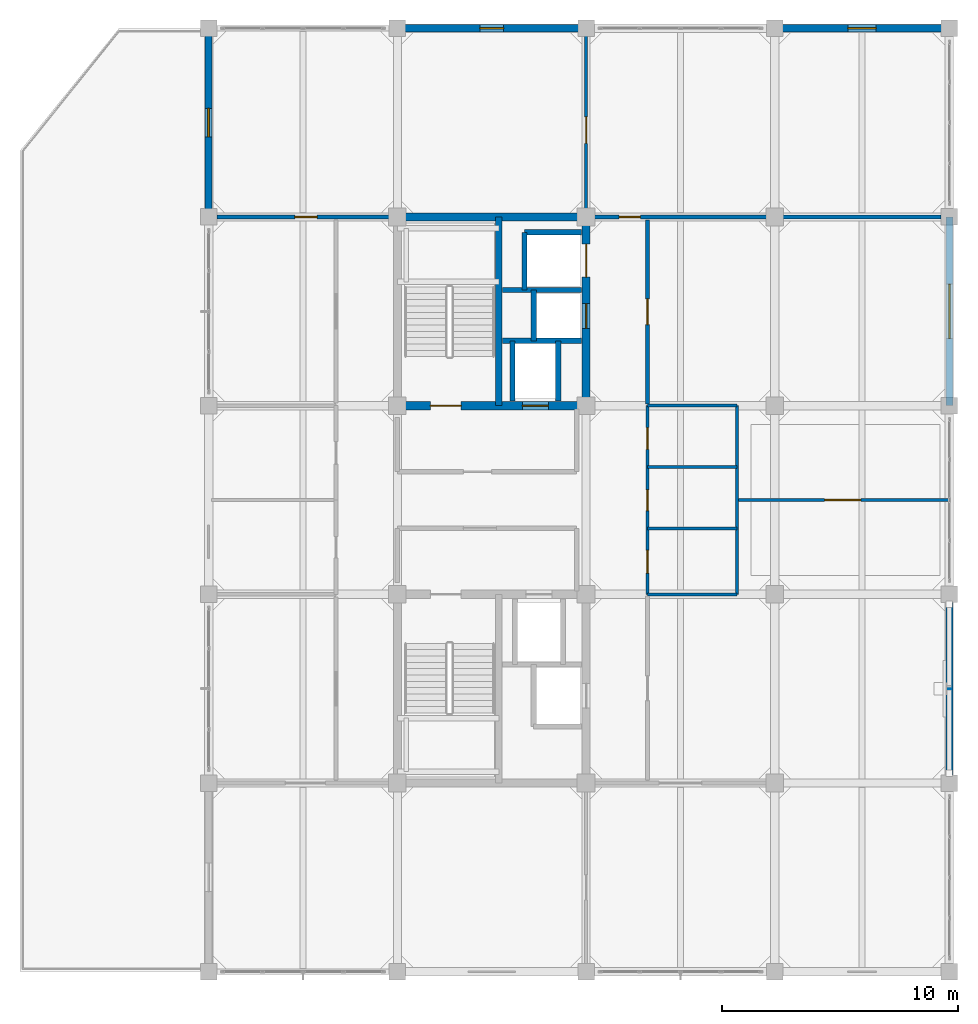
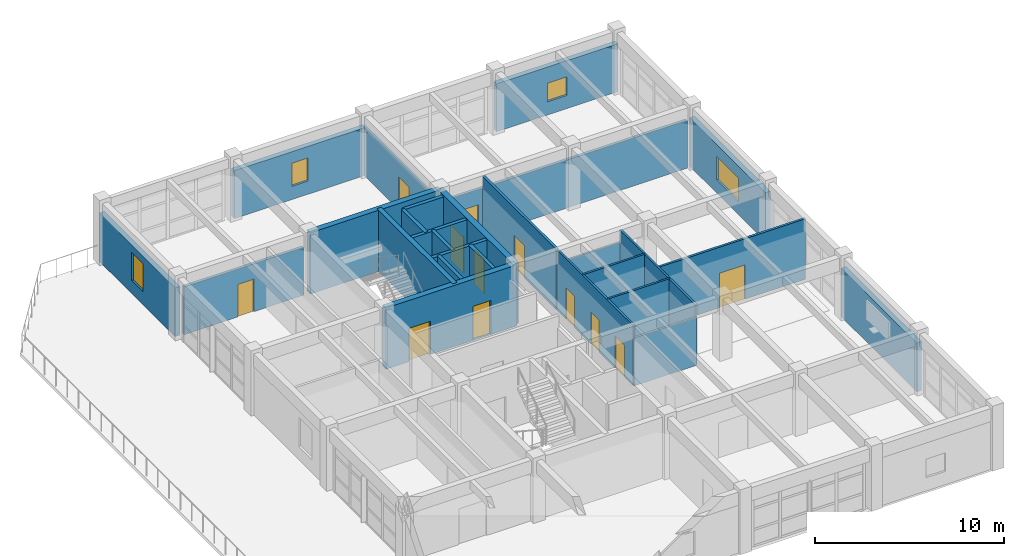
# One storey, part 20 of 25: 27 walls, 12 doors, 4 windows, 16 openings.
"""IFC4 building model written with IfcOpenShell, lengths in metres."""

from ifc_helpers import new_model, si_unit, direction, frame, frame_2d, origin, place, context, subcontext, project, spatial, rectangle, extrude, material, layer, layer_set, type_object, element, fill, save


model = new_model("IFC4")

# Units and contexts
model_context = context("Model", 3, precision=1e-05, world=origin(), true_north=direction((0.0, 1.0)))
body_context = subcontext(model_context, "Body", "Model", "MODEL_VIEW")
ifc_project = project(units=[si_unit("LENGTHUNIT", "METRE"), si_unit("AREAUNIT", "SQUARE_METRE"), si_unit("VOLUMEUNIT", "CUBIC_METRE"), si_unit("PLANEANGLEUNIT", "RADIAN"), si_unit("MASSUNIT", "GRAM", prefix="KILO")], contexts=[model_context])

# Site, building, storey
site_placement = place(None, origin())
site = spatial("IfcSite", under=ifc_project, at=site_placement, CompositionType="ELEMENT")
building_placement = place(site_placement, origin())
building = spatial("IfcBuilding", under=site, at=building_placement, Name="Canggui Botanical Conservatory", CompositionType="ELEMENT")
storey_placement = place(building_placement, frame((0.0, 0.0, 40.199951171875)))
storey = spatial("IfcBuildingStorey", under=building, at=storey_placement, Name="L10", CompositionType="ELEMENT", Elevation=40.199951171875)

# Wall, opening, window
ifc_material_1 = material(Name="Precast Concrete C40", Category="concrete")
ifc_layer_1 = layer(ifc_material_1, 0.300048828125, Name="Precast Concrete C40", Category="concrete")
ifc_layer_set_1 = layer_set([ifc_layer_1], Name="Precast Concrete C40")
wall_type_1 = type_object("IfcWallType", Name="EW-300", PredefinedType="STANDARD", material=ifc_layer_set_1)
wall_1_placement = place(storey_placement, frame((146.0, 66.0, 0.0), z_axis=(0.0, 0.0, 1.0), x_axis=(0.0, 1.0, 0.0)))
wall_1 = element("IfcWall", 1, at=wall_1_placement, inside=storey, type_object=wall_type_1, Name="Tower Insulated Exterior Wall L10-W9", PredefinedType="STANDARD", context=body_context, shape_type="SweptSolid", body=[
    extrude(rectangle(XDim=8.0, YDim=0.300048828125, at=frame_2d((4.0, 0.0))), origin(), (0.0, 0.0, 1.0), 3.14013671875),
])
opening_1_placement = place(wall_1_placement, frame((3.39990234375, 0.0, 0.85009765625)))
opening_1 = element("IfcOpeningElement", 2, at=opening_1_placement, cuts=wall_1, Name="Opening W-15", PredefinedType="OPENING", context=body_context, shape_type="SweptSolid", body=[
    extrude(rectangle(XDim=1.199951171875, YDim=1.800048828125, at=frame_2d((0.60009765625, 0.89990234375))), frame((0.0, 0.16015625, 0.0), z_axis=(0.0, -1.0, 0.0), x_axis=(1.0, 0.0, 0.0)), (0.0, 0.0, 1.0), 0.320068359375),
])
ifc_material_2 = material(Name="Low-E Insulated Glass", Category="glass")
window_type_1 = type_object("IfcWindowType", Name="WIN-15", PartitioningType="SINGLE_PANEL", PredefinedType="WINDOW", material=ifc_material_2)
window_1_placement = place(opening_1_placement, origin())
window_1 = element("IfcWindow", 3, at=window_1_placement, inside=storey, type_object=window_type_1, Name="Tower Window L10-9", OverallHeight=1.800048828125, OverallWidth=1.199951171875, PartitioningType="SINGLE_PANEL", PredefinedType="WINDOW", context=body_context, shape_type="SweptSolid", body=[
    extrude(rectangle(XDim=1.199951171875, YDim=1.800048828125, at=frame_2d((0.60009765625, 0.89990234375))), frame((0.0, 0.030029296875, 0.0), z_axis=(0.0, -1.0, 0.0), x_axis=(1.0, 0.0, 0.0)), (0.0, 0.0, 1.0), 0.06005859375),
])
fill(opening_1, window_1)

wall_2_placement = place(storey_placement, frame((154.0, 74.0, 0.0), z_axis=(0.0, 0.0, 1.0), x_axis=(1.0, 0.0, 0.0)))
wall_2 = element("IfcWall", 4, at=wall_2_placement, inside=storey, type_object=wall_type_1, Name="Tower Insulated Exterior Wall L10-N11", PredefinedType="STANDARD", context=body_context, shape_type="SweptSolid", body=[
    extrude(rectangle(XDim=8.0, YDim=0.300048828125, at=frame_2d((4.0, 0.0))), origin(), (0.0, 0.0, 1.0), 3.090087890625),
])
opening_2_placement = place(wall_2_placement, frame((3.5, 0.0, 0.85009765625)))
opening_2 = element("IfcOpeningElement", 5, at=opening_2_placement, cuts=wall_2, Name="Opening W-16", PredefinedType="OPENING", context=body_context, shape_type="SweptSolid", body=[
    extrude(rectangle(XDim=1.0, YDim=1.5, at=frame_2d((0.5, 0.75))), frame((0.0, 0.16015625, 0.0), z_axis=(0.0, -1.0, 0.0), x_axis=(1.0, 0.0, 0.0)), (0.0, 0.0, 1.0), 0.320068359375),
])
window_type_2 = type_object("IfcWindowType", Name="WIN-16", PartitioningType="SINGLE_PANEL", PredefinedType="WINDOW", material=ifc_material_2)
window_2_placement = place(opening_2_placement, origin())
window_2 = element("IfcWindow", 6, at=window_2_placement, inside=storey, type_object=window_type_2, Name="Tower Window L10-11", OverallHeight=1.5, OverallWidth=1.0, PartitioningType="SINGLE_PANEL", PredefinedType="WINDOW", context=body_context, shape_type="SweptSolid", body=[
    extrude(rectangle(XDim=1.0, YDim=1.5, at=frame_2d((0.5, 0.75))), frame((0.0, 0.030029296875, 0.0), z_axis=(0.0, -1.0, 0.0), x_axis=(1.0, 0.0, 0.0)), (0.0, 0.0, 1.0), 0.06005859375),
])
fill(opening_2, window_2)

wall_3_placement = place(storey_placement, frame((170.0, 74.0, 0.0), z_axis=(0.0, 0.0, 1.0), x_axis=(1.0, 0.0, 0.0)))
wall_3 = element("IfcWall", 7, at=wall_3_placement, inside=storey, type_object=wall_type_1, Name="Tower Insulated Exterior Wall L10-N13", PredefinedType="STANDARD", context=body_context, shape_type="SweptSolid", body=[
    extrude(rectangle(XDim=7.39990234375, YDim=0.300048828125, at=frame_2d((3.699951171875, 0.0))), origin(), (0.0, 0.0, 1.0), 3.090087890625),
])
opening_3_placement = place(wall_3_placement, frame((3.10009765625, 0.0, 0.85009765625)))
opening_3 = element("IfcOpeningElement", 8, at=opening_3_placement, cuts=wall_3, Name="Opening W-06", PredefinedType="OPENING", context=body_context, shape_type="SweptSolid", body=[
    extrude(rectangle(XDim=1.199951171875, YDim=1.199951171875, at=frame_2d((0.60009765625, 0.60009765625))), frame((0.0, 0.16015625, 0.0), z_axis=(0.0, -1.0, 0.0), x_axis=(1.0, 0.0, 0.0)), (0.0, 0.0, 1.0), 0.320068359375),
])
window_type_3 = type_object("IfcWindowType", Name="WIN-06", PartitioningType="SINGLE_PANEL", PredefinedType="WINDOW", material=ifc_material_2)
window_3_placement = place(opening_3_placement, origin())
window_3 = element("IfcWindow", 9, at=window_3_placement, inside=storey, type_object=window_type_3, Name="Tower Firefighter Rescue Window L10-13", OverallHeight=1.199951171875, OverallWidth=1.199951171875, PartitioningType="SINGLE_PANEL", PredefinedType="WINDOW", context=body_context, shape_type="SweptSolid", body=[
    extrude(rectangle(XDim=1.199951171875, YDim=1.199951171875, at=frame_2d((0.60009765625, 0.60009765625))), frame((0.0, 0.030029296875, 0.0), z_axis=(0.0, -1.0, 0.0), x_axis=(1.0, 0.0, 0.0)), (0.0, 0.0, 1.0), 0.06005859375),
])
fill(opening_3, window_3)

wall_4_placement = place(storey_placement, frame((177.39990234375, 66.0, 0.0), z_axis=(0.0, 0.0, 1.0), x_axis=(0.0, -1.0, 0.0)))
wall_4 = element("IfcWall", 10, at=wall_4_placement, inside=storey, type_object=wall_type_1, Name="Tower Insulated Exterior Wall L10-E15", PredefinedType="STANDARD", context=body_context, shape_type="SweptSolid", body=[
    extrude(rectangle(XDim=8.0, YDim=0.300048828125, at=frame_2d((4.0, 0.0))), origin(), (0.0, 0.0, 1.0), 3.14013671875),
])
opening_4_placement = place(wall_4_placement, frame((2.85009765625, 0.0, 0.85009765625)))
opening_4 = element("IfcOpeningElement", 11, at=opening_4_placement, cuts=wall_4, Name="Opening W-19", PredefinedType="OPENING", context=body_context, shape_type="SweptSolid", body=[
    extrude(rectangle(XDim=2.300048828125, YDim=1.5, at=frame_2d((1.14990234375, 0.75))), frame((0.0, 0.16015625, 0.0), z_axis=(0.0, -1.0, 0.0), x_axis=(1.0, 0.0, 0.0)), (0.0, 0.0, 1.0), 0.320068359375),
])
window_type_4 = type_object("IfcWindowType", Name="WIN-19", PartitioningType="DOUBLE_PANEL_VERTICAL", PredefinedType="WINDOW", material=ifc_material_2)
window_4_placement = place(opening_4_placement, origin())
window_4 = element("IfcWindow", 12, at=window_4_placement, inside=storey, type_object=window_type_4, Name="Tower Window L10-15", OverallHeight=1.5, OverallWidth=2.300048828125, PartitioningType="SINGLE_PANEL", PredefinedType="WINDOW", context=body_context, shape_type="SweptSolid", body=[
    extrude(rectangle(XDim=2.300048828125, YDim=1.5, at=frame_2d((1.14990234375, 0.75))), frame((0.0, 0.030029296875, 0.0), z_axis=(0.0, -1.0, 0.0), x_axis=(1.0, 0.0, 0.0)), (0.0, 0.0, 1.0), 0.06005859375),
])
fill(opening_4, window_4)

# Wall
wall_5_placement = place(storey_placement, frame((177.39990234375, 50.0, 0.0), z_axis=(0.0, 0.0, 1.0), x_axis=(0.0, -1.0, 0.0)))
element("IfcWall", 13, at=wall_5_placement, inside=storey, type_object=wall_type_1, Name="Tower Insulated Exterior Wall L10-E17", PredefinedType="STANDARD", context=body_context, shape_type="SweptSolid", body=[
    extrude(rectangle(XDim=8.0, YDim=0.300048828125, at=frame_2d((4.0, 0.0))), origin(), (0.0, 0.0, 1.0), 3.14013671875),
])

# Wall, opening, door
ifc_material_3 = material(Name="Gypsum Plasterboard Partition")
ifc_layer_2 = layer(ifc_material_3, 0.175048828125, Name="Gypsum Plasterboard Partition")
ifc_layer_set_2 = layer_set([ifc_layer_2], Name="Gypsum Plasterboard Partition")
wall_type_2 = type_object("IfcWallType", Name="IW-CORR-175", PredefinedType="STANDARD", material=ifc_layer_set_2)
wall_6_placement = place(storey_placement, frame((146.35009765625, 66.0, 0.0), z_axis=(0.0, 0.0, 1.0), x_axis=(1.0, 0.0, 0.0)))
wall_6 = element("IfcWall", 14, at=wall_6_placement, inside=storey, type_object=wall_type_2, Name="L10 Cryogenic Germplasm Storage Room North Suite Wall", PredefinedType="STANDARD", context=body_context, shape_type="SweptSolid", body=[
    extrude(rectangle(XDim=7.2998046875, YDim=0.175048828125, at=frame_2d((3.64990234375, 0.0))), origin(), (0.0, 0.0, 1.0), 3.090087890625),
])
opening_5_placement = place(wall_6_placement, frame((3.300048828125, 0.0, 0.0)))
opening_5 = element("IfcOpeningElement", 15, at=opening_5_placement, cuts=wall_6, Name="Opening FD-02", PredefinedType="OPENING", context=body_context, shape_type="SweptSolid", body=[
    extrude(rectangle(XDim=0.949951171875, YDim=2.10009765625, at=frame_2d((0.47509765625, 1.050048828125))), frame((0.0, 0.09765625, 0.0), z_axis=(0.0, -1.0, 0.0), x_axis=(1.0, 0.0, 0.0)), (0.0, 0.0, 1.0), 0.195068359375),
])
ifc_material_4 = material(Name="Powder-Coated Steel", Category="steel")
door_type_1 = type_object("IfcDoorType", Name="FD-02", OperationType="NOTDEFINED", PredefinedType="DOOR", material=ifc_material_4)
door_1_placement = place(opening_5_placement, origin())
door_1 = element("IfcDoor", 16, at=door_1_placement, inside=storey, type_object=door_type_1, Name="Interior Door IW-L10-NCOR-1", OperationType="SINGLE_SWING_LEFT", OverallHeight=2.10009765625, OverallWidth=0.949951171875, PredefinedType="DOOR", context=body_context, shape_type="SweptSolid", body=[
    extrude(rectangle(XDim=0.949951171875, YDim=2.10009765625, at=frame_2d((0.47509765625, 1.050048828125))), frame((0.0, 0.02490234375, 0.0), z_axis=(0.0, -1.0, 0.0), x_axis=(1.0, 0.0, 0.0)), (0.0, 0.0, 1.0), 0.050048828125),
])
fill(opening_5, door_1)

wall_7_placement = place(storey_placement, frame((162.35009765625, 66.0, 0.0), z_axis=(0.0, 0.0, 1.0), x_axis=(1.0, 0.0, 0.0)))
wall_7 = element("IfcWall", 17, at=wall_7_placement, inside=storey, type_object=wall_type_2, Name="L10 Desiccation Testing Laboratory North Suite Wall", PredefinedType="STANDARD", context=body_context, shape_type="SweptSolid", body=[
    extrude(rectangle(XDim=14.699951171875, YDim=0.175048828125, at=frame_2d((7.35009765625, 0.0))), origin(), (0.0, 0.0, 1.0), 3.090087890625),
])
opening_6_placement = place(wall_7_placement, frame((1.050048828125, 0.0, 0.0)))
opening_6 = element("IfcOpeningElement", 18, at=opening_6_placement, cuts=wall_7, Name="Opening FD-01", PredefinedType="OPENING", context=body_context, shape_type="SweptSolid", body=[
    extrude(rectangle(XDim=0.89990234375, YDim=2.10009765625, at=frame_2d((0.449951171875, 1.050048828125))), frame((0.0, 0.09765625, 0.0), z_axis=(0.0, -1.0, 0.0), x_axis=(1.0, 0.0, 0.0)), (0.0, 0.0, 1.0), 0.195068359375),
])
door_type_2 = type_object("IfcDoorType", Name="FD-01", OperationType="NOTDEFINED", PredefinedType="DOOR", material=ifc_material_4)
door_2_placement = place(opening_6_placement, origin())
door_2 = element("IfcDoor", 19, at=door_2_placement, inside=storey, type_object=door_type_2, Name="Interior Door IW-L10-NCOR-2", OperationType="SINGLE_SWING_LEFT", OverallHeight=2.10009765625, OverallWidth=0.89990234375, PredefinedType="DOOR", context=body_context, shape_type="SweptSolid", body=[
    extrude(rectangle(XDim=0.89990234375, YDim=2.10009765625, at=frame_2d((0.449951171875, 1.050048828125))), frame((0.0, 0.02490234375, 0.0), z_axis=(0.0, -1.0, 0.0), x_axis=(1.0, 0.0, 0.0)), (0.0, 0.0, 1.0), 0.050048828125),
])
fill(opening_6, door_2)

ifc_layer_3 = layer(ifc_material_3, 0.155029296875, Name="Gypsum Plasterboard Partition")
ifc_layer_set_3 = layer_set([ifc_layer_3], Name="Gypsum Plasterboard Partition")
wall_type_3 = type_object("IfcWallType", Name="IW-LAB-155", PredefinedType="STANDARD", material=ifc_layer_set_3)
wall_8_placement = place(storey_placement, frame((164.60009765625, 58.080078125, 0.0), z_axis=(0.0, 0.0, 1.0), x_axis=(0.0, 1.0, 0.0)))
wall_8 = element("IfcWall", 20, at=wall_8_placement, inside=storey, type_object=wall_type_3, Name="L10 Seed Research Write-Up Studio Lab Wall", PredefinedType="STANDARD", context=body_context, shape_type="SweptSolid", body=[
    extrude(rectangle(XDim=7.7998046875, YDim=0.155029296875, at=frame_2d((3.89990234375, 0.0))), origin(), (0.0, 0.0, 1.0), 3.900146484375),
])
opening_7_placement = place(wall_8_placement, frame((3.35009765625, 0.0, 0.0)))
opening_7 = element("IfcOpeningElement", 21, at=opening_7_placement, cuts=wall_8, Name="Opening FD-05", PredefinedType="OPENING", context=body_context, shape_type="SweptSolid", body=[
    extrude(rectangle(XDim=1.10009765625, YDim=2.10009765625, at=frame_2d((0.550048828125, 1.050048828125))), frame((0.0, 0.08740234375, 0.0), z_axis=(0.0, -1.0, 0.0), x_axis=(1.0, 0.0, 0.0)), (0.0, 0.0, 1.0), 0.175048828125),
])
door_type_3 = type_object("IfcDoorType", Name="FD-05", OperationType="NOTDEFINED", PredefinedType="DOOR", material=ifc_material_4)
door_3_placement = place(opening_7_placement, origin())
door_3 = element("IfcDoor", 22, at=door_3_placement, inside=storey, type_object=door_type_3, Name="Interior Door IW-L10-ECOR-2-1", OperationType="SINGLE_SWING_LEFT", OverallHeight=2.10009765625, OverallWidth=1.10009765625, PredefinedType="DOOR", context=body_context, shape_type="SweptSolid", body=[
    extrude(rectangle(XDim=1.10009765625, YDim=2.10009765625, at=frame_2d((0.550048828125, 1.050048828125))), frame((0.0, 0.02490234375, 0.0), z_axis=(0.0, -1.0, 0.0), x_axis=(1.0, 0.0, 0.0)), (0.0, 0.0, 1.0), 0.050048828125),
])
fill(opening_7, door_3)

ifc_layer_4 = layer(ifc_material_3, 0.139892578125, Name="Gypsum Plasterboard Partition")
ifc_layer_set_4 = layer_set([ifc_layer_4], Name="Gypsum Plasterboard Partition")
wall_type_4 = type_object("IfcWallType", Name="IW-PART-140", PredefinedType="STANDARD", material=ifc_layer_set_4)
wall_9_placement = place(storey_placement, frame((168.39990234375, 54.0, 0.0), z_axis=(0.0, 0.0, 1.0), x_axis=(1.0, 0.0, 0.0)))
wall_9 = element("IfcWall", 23, at=wall_9_placement, inside=storey, type_object=wall_type_4, Name="L10 Controlled Growth Chamber Room Subdivision Wall", PredefinedType="STANDARD", context=body_context, shape_type="SweptSolid", body=[
    extrude(rectangle(XDim=8.960205078125, YDim=0.139892578125, at=frame_2d((4.47998046875, 0.0))), origin(), (0.0, 0.0, 1.0), 3.900146484375),
])
opening_8_placement = place(wall_9_placement, frame((3.7099609375, 0.0, 0.0)))
opening_8 = element("IfcOpeningElement", 24, at=opening_8_placement, cuts=wall_9, Name="Opening ID-14", PredefinedType="OPENING", context=body_context, shape_type="SweptSolid", body=[
    extrude(rectangle(XDim=1.5400390625, YDim=2.219970703125, at=frame_2d((0.77001953125, 1.10986328125))), frame((0.0, 0.080078125, 0.0), z_axis=(0.0, -1.0, 0.0), x_axis=(1.0, 0.0, 0.0)), (0.0, 0.0, 1.0), 0.159912109375),
])
ifc_material_5 = material(Name="Engineered Timber Veneer", Category="wood")
door_type_4 = type_object("IfcDoorType", Name="ID-14", OperationType="NOTDEFINED", PredefinedType="DOOR", material=ifc_material_5)
door_4_placement = place(opening_8_placement, origin())
door_4 = element("IfcDoor", 25, at=door_4_placement, inside=storey, type_object=door_type_4, Name="Interior Door IW-L10-EDIV-1", OperationType="SINGLE_SWING_RIGHT", OverallHeight=2.219970703125, OverallWidth=1.5400390625, PredefinedType="DOOR", context=body_context, shape_type="SweptSolid", body=[
    extrude(rectangle(XDim=1.5400390625, YDim=2.219970703125, at=frame_2d((0.77001953125, 1.10986328125))), frame((0.0, 0.02490234375, 0.0), z_axis=(0.0, -1.0, 0.0), x_axis=(1.0, 0.0, 0.0)), (0.0, 0.0, 1.0), 0.050048828125),
])
fill(opening_8, door_4)

wall_10_placement = place(storey_placement, frame((162.0, 66.1201171875, 0.0), z_axis=(0.0, 0.0, 1.0), x_axis=(0.0, 1.0, 0.0)))
wall_10 = element("IfcWall", 26, at=wall_10_placement, inside=storey, type_object=wall_type_4, Name="L10 Cryogenic Germplasm Storage Room North Cross Wall", PredefinedType="STANDARD", context=body_context, shape_type="SweptSolid", body=[
    extrude(rectangle(XDim=7.829833984375, YDim=0.139892578125, at=frame_2d((3.9150390625, 0.0))), origin(), (0.0, 0.0, 1.0), 3.14013671875),
])
opening_9_placement = place(wall_10_placement, frame((3.0, 0.0, 0.0)))
opening_9 = element("IfcOpeningElement", 27, at=opening_9_placement, cuts=wall_10, Name="Opening ID-06", PredefinedType="OPENING", context=body_context, shape_type="SweptSolid", body=[
    extrude(rectangle(XDim=1.1201171875, YDim=2.1201171875, at=frame_2d((0.56005859375, 1.06005859375))), frame((0.0, 0.080078125, 0.0), z_axis=(0.0, -1.0, 0.0), x_axis=(1.0, 0.0, 0.0)), (0.0, 0.0, 1.0), 0.159912109375),
])
door_type_5 = type_object("IfcDoorType", Name="ID-06", OperationType="NOTDEFINED", PredefinedType="DOOR", material=ifc_material_5)
door_5_placement = place(opening_9_placement, origin())
door_5 = element("IfcDoor", 28, at=door_5_placement, inside=storey, type_object=door_type_5, Name="Interior Door IW-L10-NDIV-1", OperationType="SINGLE_SWING_RIGHT", OverallHeight=2.1201171875, OverallWidth=1.1201171875, PredefinedType="DOOR", context=body_context, shape_type="SweptSolid", body=[
    extrude(rectangle(XDim=1.1201171875, YDim=2.1201171875, at=frame_2d((0.56005859375, 1.06005859375))), frame((0.0, 0.02490234375, 0.0), z_axis=(0.0, -1.0, 0.0), x_axis=(1.0, 0.0, 0.0)), (0.0, 0.0, 1.0), 0.050048828125),
])
fill(opening_9, door_5)

# Walls
ifc_material_6 = material(Name="Concrete C35", Category="concrete")
ifc_layer_5 = layer(ifc_material_6, 0.215087890625, Name="Concrete C35", Category="concrete")
ifc_layer_set_5 = layer_set([ifc_layer_5], Name="Concrete C35")
wall_type_5 = type_object("IfcWallType", Name="IW-SHAFT-215", PredefinedType="STANDARD", material=ifc_layer_set_5)
wall_11_placement = place(storey_placement, frame((158.449951171875, 62.89990234375, 0.0), z_axis=(0.0, 0.0, 1.0), x_axis=(1.0, 0.0, 0.0)))
element("IfcWall", 29, at=wall_11_placement, inside=storey, type_object=wall_type_5, Name="Core T2 Goods Lift Shaft Divider L10", PredefinedType="STANDARD", context=body_context, shape_type="SweptSolid", body=[
    extrude(rectangle(XDim=3.35009765625, YDim=0.215087890625, at=frame_2d((1.675048828125, 0.0))), origin(), (0.0, 0.0, 1.0), 3.900146484375),
])
wall_12_placement = place(storey_placement, frame((160.820068359375, 58.199951171875, 0.0), z_axis=(0.0, 0.0, 1.0), x_axis=(0.0, 1.0, 0.0)))
element("IfcWall", 30, at=wall_12_placement, inside=storey, type_object=wall_type_5, Name="Core T2 Lift Bank Web L10", PredefinedType="STANDARD", context=body_context, shape_type="SweptSolid", body=[
    extrude(rectangle(XDim=2.550048828125, YDim=0.215087890625, at=frame_2d((1.27490234375, 0.0))), origin(), (0.0, 0.0, 1.0), 3.900146484375),
])
wall_13_placement = place(storey_placement, frame((159.3798828125, 62.89990234375, 0.0), z_axis=(0.0, 0.0, 1.0), x_axis=(0.0, 1.0, 0.0)))
element("IfcWall", 31, at=wall_13_placement, inside=storey, type_object=wall_type_5, Name="Core T2 GL-01 West Shaft Wall L10", PredefinedType="STANDARD", context=body_context, shape_type="SweptSolid", body=[
    extrude(rectangle(XDim=2.4501953125, YDim=0.215087890625, at=frame_2d((1.22509765625, 0.0))), origin(), (0.0, 0.0, 1.0), 3.900146484375),
])
wall_14_placement = place(storey_placement, frame((159.3798828125, 65.35009765625, 0.0), z_axis=(0.0, 0.0, 1.0), x_axis=(1.0, 0.0, 0.0)))
element("IfcWall", 32, at=wall_14_placement, inside=storey, type_object=wall_type_5, Name="Core T2 GL-01 North Shaft Wall L10", PredefinedType="STANDARD", context=body_context, shape_type="SweptSolid", body=[
    extrude(rectangle(XDim=2.420166015625, YDim=0.215087890625, at=frame_2d((1.2099609375, 0.0))), origin(), (0.0, 0.0, 1.0), 3.900146484375),
])
wall_15_placement = place(storey_placement, frame((158.449951171875, 60.75, 0.0), z_axis=(0.0, 0.0, 1.0), x_axis=(1.0, 0.0, 0.0)))
element("IfcWall", 33, at=wall_15_placement, inside=storey, type_object=wall_type_5, Name="Core T2 PL-02 South Shaft Wall L10", PredefinedType="STANDARD", context=body_context, shape_type="SweptSolid", body=[
    extrude(rectangle(XDim=3.35009765625, YDim=0.215087890625, at=frame_2d((1.675048828125, 0.0))), origin(), (0.0, 0.0, 1.0), 3.900146484375),
])
wall_16_placement = place(storey_placement, frame((159.780029296875, 60.75, 0.0), z_axis=(0.0, 0.0, 1.0), x_axis=(0.0, 1.0, 0.0)))
element("IfcWall", 34, at=wall_16_placement, inside=storey, type_object=wall_type_5, Name="Core T2 PL-02 West Shaft Wall L10", PredefinedType="STANDARD", context=body_context, shape_type="SweptSolid", body=[
    extrude(rectangle(XDim=2.14990234375, YDim=0.215087890625, at=frame_2d((1.074951171875, 0.0))), origin(), (0.0, 0.0, 1.0), 3.900146484375),
])
wall_17_placement = place(storey_placement, frame((158.8798828125, 58.199951171875, 0.0), z_axis=(0.0, 0.0, 1.0), x_axis=(0.0, 1.0, 0.0)))
element("IfcWall", 35, at=wall_17_placement, inside=storey, type_object=wall_type_5, Name="Core T2 FL-02 West Shaft Wall L10", PredefinedType="STANDARD", context=body_context, shape_type="SweptSolid", body=[
    extrude(rectangle(XDim=2.550048828125, YDim=0.215087890625, at=frame_2d((1.27490234375, 0.0))), origin(), (0.0, 0.0, 1.0), 3.900146484375),
])

# Wall, openings, doors
ifc_layer_6 = layer(ifc_material_3, 0.125, Name="Gypsum Plasterboard Partition")
ifc_layer_set_6 = layer_set([ifc_layer_6], Name="Gypsum Plasterboard Partition")
wall_type_6 = type_object("IfcWallType", Name="IW-WC-125", PredefinedType="STANDARD", material=ifc_layer_set_6)
wall_18_placement = place(storey_placement, frame((164.60009765625, 50.0, 0.0), z_axis=(0.0, 0.0, 1.0), x_axis=(0.0, 1.0, 0.0)))
wall_18 = element("IfcWall", 36, at=wall_18_placement, inside=storey, type_object=wall_type_6, Name="L10 Restroom Block Corridor Wall", PredefinedType="STANDARD", context=body_context, shape_type="SweptSolid", body=[
    extrude(rectangle(XDim=8.0, YDim=0.125, at=frame_2d((4.0, 0.0))), origin(), (0.0, 0.0, 1.0), 3.900146484375),
])
opening_10_placement = place(wall_18_placement, frame((0.89990234375, 0.0, 0.0)))
opening_10 = element("IfcOpeningElement", 37, at=opening_10_placement, cuts=wall_18, Name="Opening ID-03", PredefinedType="OPENING", context=body_context, shape_type="SweptSolid", body=[
    extrude(rectangle(XDim=0.9599609375, YDim=2.080078125, at=frame_2d((0.47998046875, 1.0400390625))), frame((0.0, 0.072509765625, 0.0), z_axis=(0.0, -1.0, 0.0), x_axis=(1.0, 0.0, 0.0)), (0.0, 0.0, 1.0), 0.14501953125),
])
opening_11_placement = place(wall_18_placement, frame((3.550048828125, 0.0, 0.0)))
opening_11 = element("IfcOpeningElement", 38, at=opening_11_placement, cuts=wall_18, Name="Opening ID-01", PredefinedType="OPENING", context=body_context, shape_type="SweptSolid", body=[
    extrude(rectangle(XDim=0.8798828125, YDim=2.050048828125, at=frame_2d((0.43994140625, 1.02490234375))), frame((0.0, 0.072509765625, 0.0), z_axis=(0.0, -1.0, 0.0), x_axis=(1.0, 0.0, 0.0)), (0.0, 0.0, 1.0), 0.14501953125),
])
opening_12_placement = place(wall_18_placement, frame((6.14990234375, 0.0, 0.0)))
opening_12 = element("IfcOpeningElement", 39, at=opening_12_placement, cuts=wall_18, Name="Opening ID-02", PredefinedType="OPENING", context=body_context, shape_type="SweptSolid", body=[
    extrude(rectangle(XDim=0.919921875, YDim=2.050048828125, at=frame_2d((0.4599609375, 1.02490234375))), frame((0.0, 0.072509765625, 0.0), z_axis=(0.0, -1.0, 0.0), x_axis=(1.0, 0.0, 0.0)), (0.0, 0.0, 1.0), 0.14501953125),
])
door_type_6 = type_object("IfcDoorType", Name="ID-01", OperationType="NOTDEFINED", PredefinedType="DOOR", material=ifc_material_5)
door_6_placement = place(opening_11_placement, origin())
door_6 = element("IfcDoor", 40, at=door_6_placement, inside=storey, type_object=door_type_6, Name="L10 Male WC Door", OperationType="SINGLE_SWING_LEFT", OverallHeight=2.050048828125, OverallWidth=0.8798828125, PredefinedType="DOOR", context=body_context, shape_type="SweptSolid", body=[
    extrude(rectangle(XDim=0.8798828125, YDim=2.050048828125, at=frame_2d((0.43994140625, 1.02490234375))), frame((0.0, 0.02490234375, 0.0), z_axis=(0.0, -1.0, 0.0), x_axis=(1.0, 0.0, 0.0)), (0.0, 0.0, 1.0), 0.050048828125),
])
fill(opening_11, door_6)
door_type_7 = type_object("IfcDoorType", Name="ID-02", OperationType="NOTDEFINED", PredefinedType="DOOR", material=ifc_material_5)
door_7_placement = place(opening_12_placement, origin())
door_7 = element("IfcDoor", 41, at=door_7_placement, inside=storey, type_object=door_type_7, Name="L10 Female WC Door", OperationType="SINGLE_SWING_RIGHT", OverallHeight=2.050048828125, OverallWidth=0.919921875, PredefinedType="DOOR", context=body_context, shape_type="SweptSolid", body=[
    extrude(rectangle(XDim=0.919921875, YDim=2.050048828125, at=frame_2d((0.4599609375, 1.02490234375))), frame((0.0, 0.02490234375, 0.0), z_axis=(0.0, -1.0, 0.0), x_axis=(1.0, 0.0, 0.0)), (0.0, 0.0, 1.0), 0.050048828125),
])
fill(opening_12, door_7)
door_type_8 = type_object("IfcDoorType", Name="ID-03", OperationType="NOTDEFINED", PredefinedType="DOOR", material=ifc_material_5)
door_8_placement = place(opening_10_placement, origin())
door_8 = element("IfcDoor", 42, at=door_8_placement, inside=storey, type_object=door_type_8, Name="L10 Accessible WC Door", OperationType="SINGLE_SWING_RIGHT", OverallHeight=2.080078125, OverallWidth=0.9599609375, PredefinedType="DOOR", context=body_context, shape_type="SweptSolid", body=[
    extrude(rectangle(XDim=0.9599609375, YDim=2.080078125, at=frame_2d((0.47998046875, 1.0400390625))), frame((0.0, 0.02490234375, 0.0), z_axis=(0.0, -1.0, 0.0), x_axis=(1.0, 0.0, 0.0)), (0.0, 0.0, 1.0), 0.050048828125),
])
fill(opening_10, door_8)

# Walls
wall_19_placement = place(storey_placement, frame((168.39990234375, 50.0, 0.0), z_axis=(0.0, 0.0, 1.0), x_axis=(0.0, 1.0, 0.0)))
element("IfcWall", 43, at=wall_19_placement, inside=storey, type_object=wall_type_6, Name="L10 Restroom Block Back Wall", PredefinedType="STANDARD", context=body_context, shape_type="SweptSolid", body=[
    extrude(rectangle(XDim=8.0, YDim=0.125, at=frame_2d((4.0, 0.0))), origin(), (0.0, 0.0, 1.0), 3.900146484375),
])
wall_20_placement = place(storey_placement, frame((164.60009765625, 50.0, 0.0), z_axis=(0.0, 0.0, 1.0), x_axis=(1.0, 0.0, 0.0)))
element("IfcWall", 44, at=wall_20_placement, inside=storey, type_object=wall_type_6, Name="L10 Restroom Divider Y50.0", PredefinedType="STANDARD", context=body_context, shape_type="SweptSolid", body=[
    extrude(rectangle(XDim=3.7998046875, YDim=0.125, at=frame_2d((1.89990234375, 0.0))), origin(), (0.0, 0.0, 1.0), 3.090087890625),
])
for number, where, z_axis, x_axis, name in (
    (45, (164.60009765625, 52.800048828125, 0.0), (0.0, 0.0, 1.0), (1.0, 0.0, 0.0), "L10 Restroom Divider Y52.8"),
    (46, (164.60009765625, 55.39990234375, 0.0), (0.0, 0.0, 1.0), (1.0, 0.0, 0.0), "L10 Restroom Divider Y55.4"),
):
    element("IfcWall", number, at=place(storey_placement, frame(where, z_axis=z_axis, x_axis=x_axis)), inside=storey, type_object=wall_type_6, Name=name, PredefinedType="STANDARD", context=body_context, shape_type="SweptSolid", body=[
        extrude(rectangle(XDim=3.7998046875, YDim=0.125, at=frame_2d((1.89990234375, 0.0))), origin(), (0.0, 0.0, 1.0), 3.900146484375),
    ])
wall_21_placement = place(storey_placement, frame((164.60009765625, 58.0, 0.0), z_axis=(0.0, 0.0, 1.0), x_axis=(1.0, 0.0, 0.0)))
element("IfcWall", 47, at=wall_21_placement, inside=storey, type_object=wall_type_6, Name="L10 Restroom Divider Y58.0", PredefinedType="STANDARD", context=body_context, shape_type="SweptSolid", body=[
    extrude(rectangle(XDim=3.7998046875, YDim=0.125, at=frame_2d((1.89990234375, 0.0))), origin(), (0.0, 0.0, 1.0), 3.090087890625),
])
ifc_layer_7 = layer(ifc_material_6, 0.280029296875, Name="Concrete C35", Category="concrete")
ifc_layer_set_7 = layer_set([ifc_layer_7], Name="Concrete C35")
wall_type_7 = type_object("IfcWallType", Name="WALL-SH-280-C35", PredefinedType="SHEAR", material=ifc_layer_set_7)
wall_22_placement = place(storey_placement, frame((158.300048828125, 58.0, 0.0), z_axis=(0.0, 0.0, 1.0), x_axis=(0.0, 1.0, 0.0)))
element("IfcWall", 48, at=wall_22_placement, inside=storey, type_object=wall_type_7, Name="Core T2 Internal Shear Web L10", PredefinedType="SHEAR", context=body_context, shape_type="SweptSolid", body=[
    extrude(rectangle(XDim=8.0, YDim=0.280029296875, at=frame_2d((4.0, 0.0))), origin(), (0.0, 0.0, 1.0), 3.949951171875),
])

# Wall, openings, doors
ifc_material_7 = material(Name="Concrete C40", Category="concrete")
ifc_layer_8 = layer(ifc_material_7, 0.35009765625, Name="Concrete C40", Category="concrete")
ifc_layer_set_8 = layer_set([ifc_layer_8], Name="Concrete C40")
wall_type_8 = type_object("IfcWallType", Name="WALL-SH-350-C40", PredefinedType="SHEAR", material=ifc_layer_set_8)
wall_23_placement = place(storey_placement, frame((154.0, 58.0, 0.0), z_axis=(0.0, 0.0, 1.0), x_axis=(1.0, 0.0, 0.0)))
wall_23 = element("IfcWall", 49, at=wall_23_placement, inside=storey, type_object=wall_type_8, Name="Core T2 Shear Wall L10-S", PredefinedType="SHEAR", context=body_context, shape_type="SweptSolid", body=[
    extrude(rectangle(XDim=8.0, YDim=0.35009765625, at=frame_2d((4.0, 0.0))), origin(), (0.0, 0.0, 1.0), 3.949951171875),
])
opening_13_placement = place(wall_23_placement, frame((1.39990234375, 0.0, 0.0)))
opening_13 = element("IfcOpeningElement", 50, at=opening_13_placement, cuts=wall_23, Name="Opening FD-09", PredefinedType="OPENING", context=body_context, shape_type="SweptSolid", body=[
    extrude(rectangle(XDim=1.300048828125, YDim=2.14990234375, at=frame_2d((0.64990234375, 1.074951171875))), frame((0.0, 0.18505859375, 0.0), z_axis=(0.0, -1.0, 0.0), x_axis=(1.0, 0.0, 0.0)), (0.0, 0.0, 1.0), 0.3701171875),
])
opening_14_placement = place(wall_23_placement, frame((5.300048828125, 0.0, 0.0)))
opening_14 = element("IfcOpeningElement", 51, at=opening_14_placement, cuts=wall_23, Name="Opening LD-01", PredefinedType="OPENING", context=body_context, shape_type="SweptSolid", body=[
    extrude(rectangle(XDim=1.10009765625, YDim=2.199951171875, at=frame_2d((0.550048828125, 1.10009765625))), frame((0.0, 0.18505859375, 0.0), z_axis=(0.0, -1.0, 0.0), x_axis=(1.0, 0.0, 0.0)), (0.0, 0.0, 1.0), 0.3701171875),
])
door_type_9 = type_object("IfcDoorType", Name="FD-09", OperationType="NOTDEFINED", PredefinedType="DOOR", material=ifc_material_4)
door_9_placement = place(opening_13_placement, origin())
door_9 = element("IfcDoor", 52, at=door_9_placement, inside=storey, type_object=door_type_9, Name="Tower North Smoke-Proof Stair Door L10", OperationType="SINGLE_SWING_RIGHT", OverallHeight=2.14990234375, OverallWidth=1.300048828125, PredefinedType="DOOR", context=body_context, shape_type="SweptSolid", body=[
    extrude(rectangle(XDim=1.300048828125, YDim=2.14990234375, at=frame_2d((0.64990234375, 1.074951171875))), frame((0.0, 0.02490234375, 0.0), z_axis=(0.0, -1.0, 0.0), x_axis=(1.0, 0.0, 0.0)), (0.0, 0.0, 1.0), 0.050048828125),
])
fill(opening_13, door_9)
ifc_material_8 = material(Name="Stainless Steel 304", Category="steel")
door_type_10 = type_object("IfcDoorType", Name="LDR-01", OperationType="NOTDEFINED", PredefinedType="DOOR", material=ifc_material_8)
door_10_placement = place(opening_14_placement, origin())
door_10 = element("IfcDoor", 53, at=door_10_placement, inside=storey, type_object=door_type_10, Name="Firefighting Lift FL-02 Landing Door L10", OperationType="SLIDING_TO_RIGHT", OverallHeight=2.199951171875, OverallWidth=1.10009765625, PredefinedType="DOOR", context=body_context, shape_type="SweptSolid", body=[
    extrude(rectangle(XDim=1.10009765625, YDim=2.199951171875, at=frame_2d((0.550048828125, 1.10009765625))), frame((0.0, 0.02490234375, 0.0), z_axis=(0.0, -1.0, 0.0), x_axis=(1.0, 0.0, 0.0)), (0.0, 0.0, 1.0), 0.050048828125),
])
fill(opening_14, door_10)

wall_24_placement = place(storey_placement, frame((162.0, 58.0, 0.0), z_axis=(0.0, 0.0, 1.0), x_axis=(0.0, 1.0, 0.0)))
wall_24 = element("IfcWall", 54, at=wall_24_placement, inside=storey, type_object=wall_type_8, Name="Core T2 Shear Wall L10-E", PredefinedType="SHEAR", context=body_context, shape_type="SweptSolid", body=[
    extrude(rectangle(XDim=8.0, YDim=0.35009765625, at=frame_2d((4.0, 0.0))), origin(), (0.0, 0.0, 1.0), 3.949951171875),
])
opening_15_placement = place(wall_24_placement, frame((3.27490234375, 0.0, 0.0)))
opening_15 = element("IfcOpeningElement", 55, at=opening_15_placement, cuts=wall_24, Name="Opening LD-02", PredefinedType="OPENING", context=body_context, shape_type="SweptSolid", body=[
    extrude(rectangle(XDim=1.050048828125, YDim=2.199951171875, at=frame_2d((0.52490234375, 1.10009765625))), frame((0.0, 0.18505859375, 0.0), z_axis=(0.0, -1.0, 0.0), x_axis=(1.0, 0.0, 0.0)), (0.0, 0.0, 1.0), 0.3701171875),
])
opening_16_placement = place(wall_24_placement, frame((5.449951171875, 0.0, 0.0)))
opening_16 = element("IfcOpeningElement", 56, at=opening_16_placement, cuts=wall_24, Name="Opening LD-03", PredefinedType="OPENING", context=body_context, shape_type="SweptSolid", body=[
    extrude(rectangle(XDim=1.39990234375, YDim=2.300048828125, at=frame_2d((0.699951171875, 1.14990234375))), frame((0.0, 0.18505859375, 0.0), z_axis=(0.0, -1.0, 0.0), x_axis=(1.0, 0.0, 0.0)), (0.0, 0.0, 1.0), 0.3701171875),
])
door_type_11 = type_object("IfcDoorType", Name="LDR-02", OperationType="NOTDEFINED", PredefinedType="DOOR", material=ifc_material_8)
door_11_placement = place(opening_15_placement, origin())
door_11 = element("IfcDoor", 57, at=door_11_placement, inside=storey, type_object=door_type_11, Name="Passenger Lift PL-02 Landing Door L10", OperationType="SLIDING_TO_RIGHT", OverallHeight=2.199951171875, OverallWidth=1.050048828125, PredefinedType="DOOR", context=body_context, shape_type="SweptSolid", body=[
    extrude(rectangle(XDim=1.050048828125, YDim=2.199951171875, at=frame_2d((0.52490234375, 1.10009765625))), frame((0.0, 0.02490234375, 0.0), z_axis=(0.0, -1.0, 0.0), x_axis=(1.0, 0.0, 0.0)), (0.0, 0.0, 1.0), 0.050048828125),
])
fill(opening_15, door_11)
door_type_12 = type_object("IfcDoorType", Name="LDR-03", OperationType="NOTDEFINED", PredefinedType="DOOR", material=ifc_material_8)
door_12_placement = place(opening_16_placement, origin())
door_12 = element("IfcDoor", 58, at=door_12_placement, inside=storey, type_object=door_type_12, Name="Herbarium Goods Lift GL-01 Landing Door L10", OperationType="DOUBLE_DOOR_SLIDING", OverallHeight=2.300048828125, OverallWidth=1.39990234375, PredefinedType="DOOR", context=body_context, shape_type="SweptSolid", body=[
    extrude(rectangle(XDim=1.39990234375, YDim=2.300048828125, at=frame_2d((0.699951171875, 1.14990234375))), frame((0.0, 0.02490234375, 0.0), z_axis=(0.0, -1.0, 0.0), x_axis=(1.0, 0.0, 0.0)), (0.0, 0.0, 1.0), 0.050048828125),
])
fill(opening_16, door_12)

# Wall
wall_25_placement = place(storey_placement, frame((162.0, 66.0, 0.0), z_axis=(0.0, 0.0, 1.0), x_axis=(-1.0, 0.0, 0.0)))
element("IfcWall", 59, at=wall_25_placement, inside=storey, type_object=wall_type_8, Name="Core T2 Shear Wall L10-N", PredefinedType="SHEAR", context=body_context, shape_type="SweptSolid", body=[
    extrude(rectangle(XDim=8.0, YDim=0.35009765625, at=frame_2d((4.0, 0.0))), origin(), (0.0, 0.0, 1.0), 3.949951171875),
])

save(model, "model.ifc")
